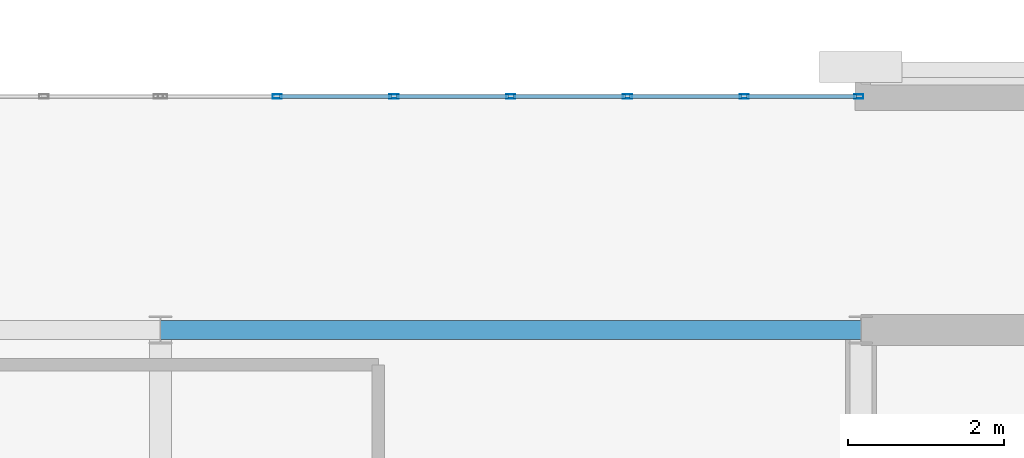
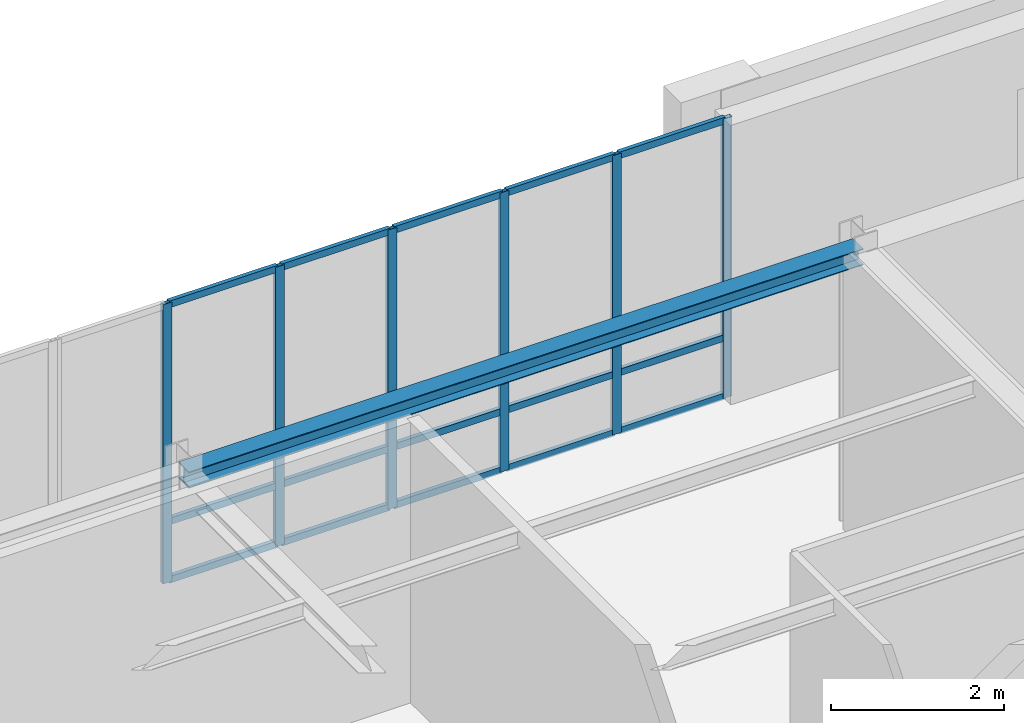
# One storey, part 39 of 97: 21 members, 1 beam, 1 element without a shape of its own.
"""IFC4 building model written with IfcOpenShell, lengths in metres."""

from ifc_helpers import new_model, si_unit, direction, frame, origin, origin_2d, place, context, subcontext, project, spatial, hollow_rectangle, i_section, extrude, material, material_profile, profile_set, type_object, element, aggregate, save


model = new_model("IFC4")

# Units and contexts
model_context = context("Model", 3, precision=1e-05, world=origin(), true_north=direction((0.0, 1.0)))
body_context = subcontext(model_context, "Body", "Model", "MODEL_VIEW")
ifc_project = project(units=[si_unit("LENGTHUNIT", "METRE"), si_unit("AREAUNIT", "SQUARE_METRE"), si_unit("VOLUMEUNIT", "CUBIC_METRE"), si_unit("PLANEANGLEUNIT", "RADIAN"), si_unit("MASSUNIT", "GRAM", prefix="KILO")], contexts=[model_context])

# Site, building, storey
site_placement = place(None, origin())
site = spatial("IfcSite", under=ifc_project, at=site_placement, CompositionType="ELEMENT")
building_placement = place(site_placement, origin())
building = spatial("IfcBuilding", under=site, at=building_placement, Name="Lykobir Media Centre", CompositionType="ELEMENT")
storey_placement = place(building_placement, frame((0.0, 0.0, 23.39990234375)))
storey = spatial("IfcBuildingStorey", under=building, at=storey_placement, Name="L05", CompositionType="ELEMENT", Elevation=23.39990234375)

# Curtain wall, members
ifc_material_1 = material(Name="Anodized Aluminium AW-6060", Category="aluminium")
curtain_wall_type = type_object("IfcCurtainWallType", Name="CW-COURT-B", PredefinedType="NOTDEFINED", material=ifc_material_1)
curtain_wall_placement = place(storey_placement, origin())
curtain_wall = element("IfcCurtainWall", 1, at=curtain_wall_placement, inside=storey, type_object=curtain_wall_type, Name="Curtain wall CW2-L05-0193", PredefinedType="NOTDEFINED")
ifc_material_profile_1 = material_profile(ifc_material_1, hollow_rectangle(XDim=0.054931640625, YDim=0.1201171875, WallThickness=0.003173828125, at=origin_2d()), Name="ALU MULLION 55x120")
ifc_profile_set_1 = profile_set([ifc_material_profile_1], Name="Anodized Aluminium AW-6060")
member_type_1 = type_object("IfcMemberType", Name="CWM-120", PredefinedType="MULLION", material=ifc_profile_set_1)
member_1_placement = place(storey_placement, frame((64.5, 21.0, 0.0), z_axis=(0.0, 0.0, 1.0), x_axis=(0.0, 1.0, 0.0)))
member_1 = element("IfcMember", 2, at=member_1_placement, type_object=member_type_1, Name="CW2-L05-0193 mullion 2", PredefinedType="MULLION", context=body_context, shape_type="SweptSolid", body=[
    extrude(hollow_rectangle(XDim=0.054931640625, YDim=0.1201171875, WallThickness=0.003173828125, at=origin_2d()), origin(), (0.0, 0.0, 1.0), 3.940185546875),
])
member_2_placement = place(storey_placement, frame((66.0, 21.0, 0.0), z_axis=(0.0, 0.0, 1.0), x_axis=(0.0, 1.0, 0.0)))
member_2 = element("IfcMember", 3, at=member_2_placement, type_object=member_type_1, Name="CW2-L05-0193 mullion 3", PredefinedType="MULLION", context=body_context, shape_type="SweptSolid", body=[
    extrude(hollow_rectangle(XDim=0.054931640625, YDim=0.1201171875, WallThickness=0.003173828125, at=origin_2d()), origin(), (0.0, 0.0, 1.0), 3.940185546875),
])
member_3_placement = place(storey_placement, frame((67.5, 21.0, 0.0), z_axis=(0.0, 0.0, 1.0), x_axis=(0.0, 1.0, 0.0)))
member_3 = element("IfcMember", 4, at=member_3_placement, type_object=member_type_1, Name="CW2-L05-0193 mullion 4", PredefinedType="MULLION", context=body_context, shape_type="SweptSolid", body=[
    extrude(hollow_rectangle(XDim=0.054931640625, YDim=0.1201171875, WallThickness=0.003173828125, at=origin_2d()), origin(), (0.0, 0.0, 1.0), 3.940185546875),
])
member_4_placement = place(storey_placement, frame((69.0, 21.0, 0.0), z_axis=(0.0, 0.0, 1.0), x_axis=(0.0, 1.0, 0.0)))
member_4 = element("IfcMember", 5, at=member_4_placement, type_object=member_type_1, Name="CW2-L05-0193 mullion 5", PredefinedType="MULLION", context=body_context, shape_type="SweptSolid", body=[
    extrude(hollow_rectangle(XDim=0.054931640625, YDim=0.1201171875, WallThickness=0.003173828125, at=origin_2d()), origin(), (0.0, 0.0, 1.0), 3.940185546875),
])
member_5_placement = place(storey_placement, frame((70.5, 21.0, 0.0), z_axis=(0.0, 0.0, 1.0), x_axis=(0.0, 1.0, 0.0)))
member_5 = element("IfcMember", 6, at=member_5_placement, type_object=member_type_1, Name="CW2-L05-0193 mullion 6", PredefinedType="MULLION", context=body_context, shape_type="SweptSolid", body=[
    extrude(hollow_rectangle(XDim=0.054931640625, YDim=0.1201171875, WallThickness=0.003173828125, at=origin_2d()), origin(), (0.0, 0.0, 1.0), 3.940185546875),
])
member_6_placement = place(storey_placement, frame((71.972412109375, 21.0, 0.0), z_axis=(0.0, 0.0, 1.0), x_axis=(0.0, 1.0, 0.0)))
member_6 = element("IfcMember", 7, at=member_6_placement, type_object=member_type_1, Name="CW2-L05-0193 mullion 7", PredefinedType="MULLION", context=body_context, shape_type="SweptSolid", body=[
    extrude(hollow_rectangle(XDim=0.054931640625, YDim=0.1201171875, WallThickness=0.003173828125, at=origin_2d()), origin(), (0.0, 0.0, 1.0), 3.940185546875),
])
ifc_material_profile_2 = material_profile(ifc_material_1, hollow_rectangle(XDim=0.054931640625, YDim=0.094970703125, WallThickness=0.0029296875, at=origin_2d()), Name="ALU TRANSOM 55x95")
ifc_profile_set_2 = profile_set([ifc_material_profile_2], Name="Anodized Aluminium AW-6060")
member_type_2 = type_object("IfcMemberType", Name="CWT-095", PredefinedType="USERDEFINED", material=ifc_profile_set_2)
member_7_placement = place(storey_placement, frame((64.527587890625, 21.0, 0.027587890625), z_axis=(1.0, 0.0, 0.0), x_axis=(0.0, 1.0, 0.0)))
member_7 = element("IfcMember", 8, at=member_7_placement, type_object=member_type_2, Name="CW2-L05-0193 transom 2.1", ObjectType="TRANSOM", PredefinedType="USERDEFINED", context=body_context, shape_type="SweptSolid", body=[
    extrude(hollow_rectangle(XDim=0.054931640625, YDim=0.094970703125, WallThickness=0.0029296875, at=origin_2d()), origin(), (0.0, 0.0, 1.0), 1.44482421875),
])
member_8_placement = place(storey_placement, frame((64.527587890625, 21.0, 0.85009765625), z_axis=(1.0, 0.0, 0.0), x_axis=(0.0, 1.0, 0.0)))
member_8 = element("IfcMember", 9, at=member_8_placement, type_object=member_type_2, Name="CW2-L05-0193 transom 2.2", ObjectType="TRANSOM", PredefinedType="USERDEFINED", context=body_context, shape_type="SweptSolid", body=[
    extrude(hollow_rectangle(XDim=0.054931640625, YDim=0.094970703125, WallThickness=0.0029296875, at=origin_2d()), origin(), (0.0, 0.0, 1.0), 1.44482421875),
])
member_9_placement = place(storey_placement, frame((64.527587890625, 21.0, 3.91259765625), z_axis=(1.0, 0.0, 0.0), x_axis=(0.0, 1.0, 0.0)))
member_9 = element("IfcMember", 10, at=member_9_placement, type_object=member_type_2, Name="CW2-L05-0193 transom 2.3", ObjectType="TRANSOM", PredefinedType="USERDEFINED", context=body_context, shape_type="SweptSolid", body=[
    extrude(hollow_rectangle(XDim=0.054931640625, YDim=0.094970703125, WallThickness=0.0029296875, at=origin_2d()), origin(), (0.0, 0.0, 1.0), 1.44482421875),
])
member_10_placement = place(storey_placement, frame((66.027587890625, 21.0, 0.027587890625), z_axis=(1.0, 0.0, 0.0), x_axis=(0.0, 1.0, 0.0)))
member_10 = element("IfcMember", 11, at=member_10_placement, type_object=member_type_2, Name="CW2-L05-0193 transom 3.1", ObjectType="TRANSOM", PredefinedType="USERDEFINED", context=body_context, shape_type="SweptSolid", body=[
    extrude(hollow_rectangle(XDim=0.054931640625, YDim=0.094970703125, WallThickness=0.0029296875, at=origin_2d()), origin(), (0.0, 0.0, 1.0), 1.44482421875),
])
member_11_placement = place(storey_placement, frame((66.027587890625, 21.0, 0.85009765625), z_axis=(1.0, 0.0, 0.0), x_axis=(0.0, 1.0, 0.0)))
member_11 = element("IfcMember", 12, at=member_11_placement, type_object=member_type_2, Name="CW2-L05-0193 transom 3.2", ObjectType="TRANSOM", PredefinedType="USERDEFINED", context=body_context, shape_type="SweptSolid", body=[
    extrude(hollow_rectangle(XDim=0.054931640625, YDim=0.094970703125, WallThickness=0.0029296875, at=origin_2d()), origin(), (0.0, 0.0, 1.0), 1.44482421875),
])
member_12_placement = place(storey_placement, frame((66.027587890625, 21.0, 3.91259765625), z_axis=(1.0, 0.0, 0.0), x_axis=(0.0, 1.0, 0.0)))
member_12 = element("IfcMember", 13, at=member_12_placement, type_object=member_type_2, Name="CW2-L05-0193 transom 3.3", ObjectType="TRANSOM", PredefinedType="USERDEFINED", context=body_context, shape_type="SweptSolid", body=[
    extrude(hollow_rectangle(XDim=0.054931640625, YDim=0.094970703125, WallThickness=0.0029296875, at=origin_2d()), origin(), (0.0, 0.0, 1.0), 1.44482421875),
])
member_13_placement = place(storey_placement, frame((67.527587890625, 21.0, 0.027587890625), z_axis=(1.0, 0.0, 0.0), x_axis=(0.0, 1.0, 0.0)))
member_13 = element("IfcMember", 14, at=member_13_placement, type_object=member_type_2, Name="CW2-L05-0193 transom 4.1", ObjectType="TRANSOM", PredefinedType="USERDEFINED", context=body_context, shape_type="SweptSolid", body=[
    extrude(hollow_rectangle(XDim=0.054931640625, YDim=0.094970703125, WallThickness=0.0029296875, at=origin_2d()), origin(), (0.0, 0.0, 1.0), 1.44482421875),
])
member_14_placement = place(storey_placement, frame((67.527587890625, 21.0, 0.85009765625), z_axis=(1.0, 0.0, 0.0), x_axis=(0.0, 1.0, 0.0)))
member_14 = element("IfcMember", 15, at=member_14_placement, type_object=member_type_2, Name="CW2-L05-0193 transom 4.2", ObjectType="TRANSOM", PredefinedType="USERDEFINED", context=body_context, shape_type="SweptSolid", body=[
    extrude(hollow_rectangle(XDim=0.054931640625, YDim=0.094970703125, WallThickness=0.0029296875, at=origin_2d()), origin(), (0.0, 0.0, 1.0), 1.44482421875),
])
member_15_placement = place(storey_placement, frame((67.527587890625, 21.0, 3.91259765625), z_axis=(1.0, 0.0, 0.0), x_axis=(0.0, 1.0, 0.0)))
member_15 = element("IfcMember", 16, at=member_15_placement, type_object=member_type_2, Name="CW2-L05-0193 transom 4.3", ObjectType="TRANSOM", PredefinedType="USERDEFINED", context=body_context, shape_type="SweptSolid", body=[
    extrude(hollow_rectangle(XDim=0.054931640625, YDim=0.094970703125, WallThickness=0.0029296875, at=origin_2d()), origin(), (0.0, 0.0, 1.0), 1.44482421875),
])
member_16_placement = place(storey_placement, frame((69.027587890625, 21.0, 0.027587890625), z_axis=(1.0, 0.0, 0.0), x_axis=(0.0, 1.0, 0.0)))
member_16 = element("IfcMember", 17, at=member_16_placement, type_object=member_type_2, Name="CW2-L05-0193 transom 5.1", ObjectType="TRANSOM", PredefinedType="USERDEFINED", context=body_context, shape_type="SweptSolid", body=[
    extrude(hollow_rectangle(XDim=0.054931640625, YDim=0.094970703125, WallThickness=0.0029296875, at=origin_2d()), origin(), (0.0, 0.0, 1.0), 1.44482421875),
])
member_17_placement = place(storey_placement, frame((69.027587890625, 21.0, 0.85009765625), z_axis=(1.0, 0.0, 0.0), x_axis=(0.0, 1.0, 0.0)))
member_17 = element("IfcMember", 18, at=member_17_placement, type_object=member_type_2, Name="CW2-L05-0193 transom 5.2", ObjectType="TRANSOM", PredefinedType="USERDEFINED", context=body_context, shape_type="SweptSolid", body=[
    extrude(hollow_rectangle(XDim=0.054931640625, YDim=0.094970703125, WallThickness=0.0029296875, at=origin_2d()), origin(), (0.0, 0.0, 1.0), 1.44482421875),
])
member_18_placement = place(storey_placement, frame((69.027587890625, 21.0, 3.91259765625), z_axis=(1.0, 0.0, 0.0), x_axis=(0.0, 1.0, 0.0)))
member_18 = element("IfcMember", 19, at=member_18_placement, type_object=member_type_2, Name="CW2-L05-0193 transom 5.3", ObjectType="TRANSOM", PredefinedType="USERDEFINED", context=body_context, shape_type="SweptSolid", body=[
    extrude(hollow_rectangle(XDim=0.054931640625, YDim=0.094970703125, WallThickness=0.0029296875, at=origin_2d()), origin(), (0.0, 0.0, 1.0), 1.44482421875),
])
member_19_placement = place(storey_placement, frame((70.527587890625, 21.0, 0.027587890625), z_axis=(1.0, 0.0, 0.0), x_axis=(0.0, 1.0, 0.0)))
member_19 = element("IfcMember", 20, at=member_19_placement, type_object=member_type_2, Name="CW2-L05-0193 transom 6.1", ObjectType="TRANSOM", PredefinedType="USERDEFINED", context=body_context, shape_type="SweptSolid", body=[
    extrude(hollow_rectangle(XDim=0.054931640625, YDim=0.094970703125, WallThickness=0.0029296875, at=origin_2d()), origin(), (0.0, 0.0, 1.0), 1.41748046875),
])
member_20_placement = place(storey_placement, frame((70.527587890625, 21.0, 0.85009765625), z_axis=(1.0, 0.0, 0.0), x_axis=(0.0, 1.0, 0.0)))
member_20 = element("IfcMember", 21, at=member_20_placement, type_object=member_type_2, Name="CW2-L05-0193 transom 6.2", ObjectType="TRANSOM", PredefinedType="USERDEFINED", context=body_context, shape_type="SweptSolid", body=[
    extrude(hollow_rectangle(XDim=0.054931640625, YDim=0.094970703125, WallThickness=0.0029296875, at=origin_2d()), origin(), (0.0, 0.0, 1.0), 1.41748046875),
])
member_21_placement = place(storey_placement, frame((70.527587890625, 21.0, 3.91259765625), z_axis=(1.0, 0.0, 0.0), x_axis=(0.0, 1.0, 0.0)))
member_21 = element("IfcMember", 22, at=member_21_placement, type_object=member_type_2, Name="CW2-L05-0193 transom 6.3", ObjectType="TRANSOM", PredefinedType="USERDEFINED", context=body_context, shape_type="SweptSolid", body=[
    extrude(hollow_rectangle(XDim=0.054931640625, YDim=0.094970703125, WallThickness=0.0029296875, at=origin_2d()), origin(), (0.0, 0.0, 1.0), 1.41748046875),
])
aggregate(curtain_wall, [member_1, member_2, member_3, member_4, member_5, member_6, member_7, member_8, member_9, member_10, member_11, member_12, member_13, member_14, member_15, member_16, member_17, member_18, member_19, member_20, member_21])

# Beam
ifc_material_2 = material(Name="Steel S355", Category="steel")
ifc_material_profile_3 = material_profile(ifc_material_2, i_section(OverallWidth=0.239990234375, OverallDepth=0.22998046875, WebThickness=0.007568359375, FlangeThickness=0.011962890625, at=origin_2d()), Name="HEA 240")
ifc_profile_set_3 = profile_set([ifc_material_profile_3], Name="Steel S355")
beam_type = type_object("IfcBeamType", Name="SP-HEA240", PredefinedType="SPANDREL", material=ifc_profile_set_3)
beam_placement = place(storey_placement, frame((63.0, 18.0, 3.84521484375), z_axis=(1.0, 0.0, 0.0), x_axis=(0.0, 1.0, 0.0)))
element("IfcBeam", 23, at=beam_placement, inside=storey, type_object=beam_type, Name="Beam BM-L05-0630-0180-0720-0180-2724", PredefinedType="SPANDREL", context=body_context, shape_type="SweptSolid", body=[
    extrude(i_section(OverallWidth=0.239990234375, OverallDepth=0.22998046875, WebThickness=0.007568359375, FlangeThickness=0.011962890625, at=origin_2d()), origin(), (0.0, 0.0, 1.0), 9.0),
])

save(model, "model.ifc")
